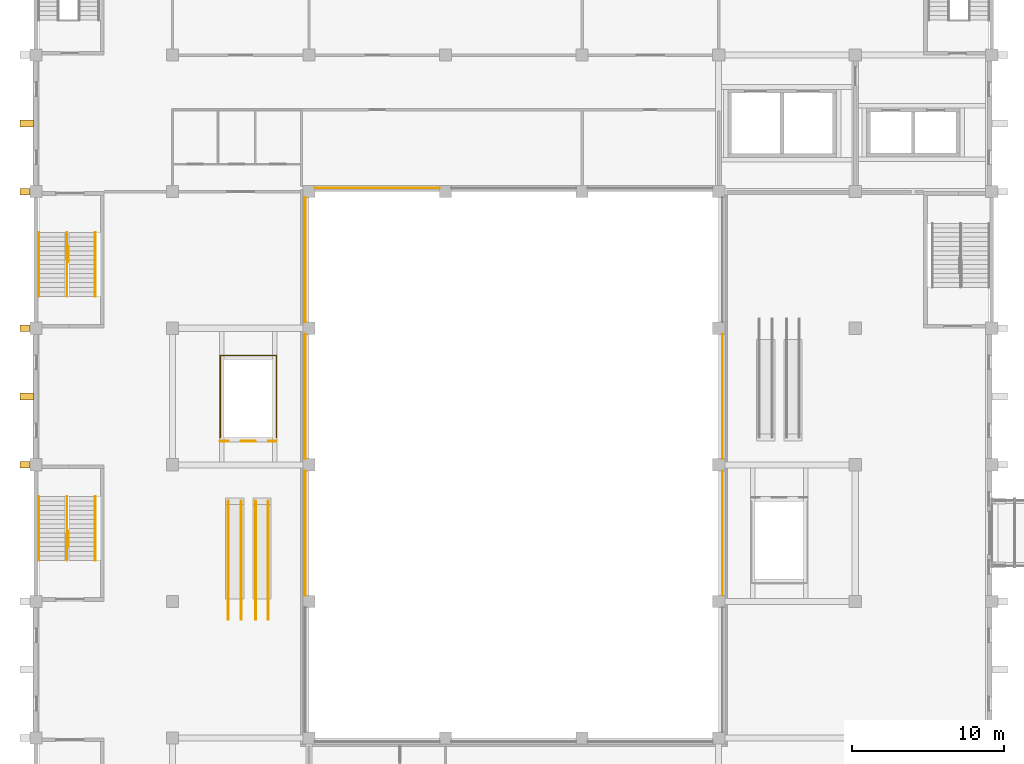
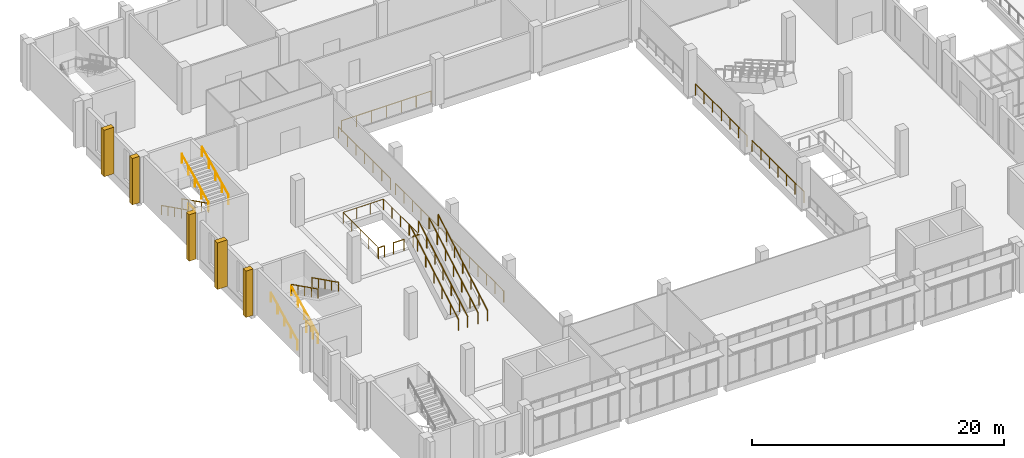
# One storey, part 73 of 79: 24 railings, 5 coverings.
"""IFC4 building model written with IfcOpenShell, lengths in metres."""

from ifc_helpers import new_model, si_unit, direction, frame, origin, origin_2d, place, context, subcontext, project, spatial, rectangle, circle, extrude, material, layer, layer_set, type_object, element, save


model = new_model("IFC4")

# Units and contexts
model_context = context("Model", 3, precision=1e-05, world=origin(), true_north=direction((0.0, 1.0)))
body_context = subcontext(model_context, "Body", "Model", "MODEL_VIEW")
ifc_project = project(units=[si_unit("LENGTHUNIT", "METRE"), si_unit("AREAUNIT", "SQUARE_METRE"), si_unit("VOLUMEUNIT", "CUBIC_METRE"), si_unit("PLANEANGLEUNIT", "RADIAN"), si_unit("MASSUNIT", "GRAM", prefix="KILO")], contexts=[model_context])

# Site, building, storey
site_placement = place(None, origin())
site = spatial("IfcSite", under=ifc_project, at=site_placement, CompositionType="ELEMENT")
building_placement = place(site_placement, origin())
building = spatial("IfcBuilding", under=site, at=building_placement, Name="Guidao Yard Department Store", CompositionType="ELEMENT")
storey_placement = place(building_placement, frame((0.0, 0.0, 15.0)))
storey = spatial("IfcBuildingStorey", under=building, at=storey_placement, Name="L03", CompositionType="ELEMENT", Elevation=15.0)

# Railings
ifc_material_1 = material(Name="Laminated glass", Category="glass")
railing_type_1 = type_object("IfcRailingType", Name="Escalator balustrade glass 1100", PredefinedType="BALUSTRADE", material=ifc_material_1)
for number, where, name in (
    (1, (12.679931640625, 61.800048828125, 0.0), "Escalator EH7 up balustrade"),
    (2, (13.52001953125, 61.800048828125, 0.0), "Escalator EH7 up balustrade"),
    (3, (14.47998046875, 61.800048828125, 0.0), "Escalator EH7 down balustrade"),
    (4, (15.320068359375, 61.800048828125, 0.0), "Escalator EH7 down balustrade"),
):
    element("IfcRailing", number, at=place(storey_placement, frame(where)), inside=storey, type_object=railing_type_1, Name=name, PredefinedType="BALUSTRADE", context=body_context, shape_type="SweptSolid", body=[
        extrude(circle(Radius=0.030029296875, at=origin_2d()), frame((0.0, 0.0, 1.070068359375), z_axis=(0.0, 0.866017533419, 0.500013631625), x_axis=(-1.0, 0.0, 0.0)), (0.0, 0.0, 1.0), 8.999755859375),
        extrude(circle(Radius=0.02490234375, at=origin_2d()), origin(), (0.0, 0.0, 1.0), 1.0400390625),
        extrude(circle(Radius=0.02490234375, at=origin_2d()), frame((0.0, 1.299072265625, 0.75)), (0.0, 0.0, 1.0), 1.0400390625),
        extrude(circle(Radius=0.02490234375, at=origin_2d()), frame((0.0, 2.597900390625, 1.5)), (0.0, 0.0, 1.0), 1.0400390625),
        extrude(circle(Radius=0.02490234375, at=origin_2d()), frame((0.0, 3.89697265625, 2.25)), (0.0, 0.0, 1.0), 1.0400390625),
        extrude(circle(Radius=0.02490234375, at=origin_2d()), frame((0.0, 5.196044921875, 3.0)), (0.0, 0.0, 1.0), 1.0400390625),
        extrude(circle(Radius=0.02490234375, at=origin_2d()), frame((0.0, 6.494873046875, 3.75)), (0.0, 0.0, 1.0), 1.0400390625),
        extrude(circle(Radius=0.02490234375, at=origin_2d()), frame((0.0, 7.7939453125, 4.5)), (0.0, 0.0, 1.0), 1.0400390625),
    ])
ifc_material_2 = material(Name="Steel Q235", Category="steel")
railing_type_2 = type_object("IfcRailingType", Name="Guard steel balustrade 1100", PredefinedType="GUARDRAIL", material=ifc_material_2)
railing_1_placement = place(storey_placement, frame((2.125, 66.6298828125, 0.0)))
element("IfcRailing", 5, at=railing_1_placement, inside=storey, type_object=railing_type_2, Name="Stair A1 guard L03 1", PredefinedType="GUARDRAIL", context=body_context, shape_type="SweptSolid", body=[
    extrude(circle(Radius=0.02392578125, at=origin_2d()), frame((0.0, 0.0, 1.076171875), z_axis=(0.0, 1.0, 0.0), x_axis=(-1.0, 0.0, 0.0)), (0.0, 0.0, 1.0), 1.0),
    extrude(circle(Radius=0.02099609375, at=origin_2d()), origin(), (0.0, 0.0, 1.0), 1.052001953125),
    extrude(circle(Radius=0.02099609375, at=origin_2d()), frame((0.0, 1.0, 0.0)), (0.0, 0.0, 1.0), 1.052001953125),
])
railing_2_placement = place(storey_placement, frame((2.125, 86.3701171875, 0.0)))
element("IfcRailing", 6, at=railing_2_placement, inside=storey, type_object=railing_type_2, Name="Stair A3 guard L03 3", PredefinedType="GUARDRAIL", context=body_context, shape_type="SweptSolid", body=[
    extrude(circle(Radius=0.02392578125, at=origin_2d()), frame((0.0, 0.0, 1.076171875), z_axis=(0.0, -1.0, 0.0), x_axis=(1.0, 0.0, 0.0)), (0.0, 0.0, 1.0), 1.0),
    extrude(circle(Radius=0.02099609375, at=origin_2d()), origin(), (0.0, 0.0, 1.0), 1.052001953125),
    extrude(circle(Radius=0.02099609375, at=origin_2d()), frame((0.0, -1.0, 0.0)), (0.0, 0.0, 1.0), 1.052001953125),
])
railing_3_placement = place(storey_placement, frame((12.14990234375, 73.555908203125, 0.0)))
element("IfcRailing", 7, at=railing_3_placement, inside=storey, type_object=railing_type_2, Name="Guard escalator EH6 arrival 1", PredefinedType="GUARDRAIL", context=body_context, shape_type="SweptSolid", body=[
    extrude(circle(Radius=0.02392578125, at=origin_2d()), frame((0.0, 0.0, 1.076171875), z_axis=(1.0, 0.0, 0.0), x_axis=(0.0, 1.0, 0.0)), (0.0, 0.0, 1.0), 0.530029296875),
    extrude(circle(Radius=0.02099609375, at=origin_2d()), origin(), (0.0, 0.0, 1.0), 1.052001953125),
    extrude(circle(Radius=0.02099609375, at=origin_2d()), frame((0.530029296875, 0.0, 0.0)), (0.0, 0.0, 1.0), 1.052001953125),
])
railing_4_placement = place(storey_placement, frame((13.52001953125, 73.555908203125, 0.0)))
element("IfcRailing", 8, at=railing_4_placement, inside=storey, type_object=railing_type_2, Name="Guard escalator EH6 arrival 2", PredefinedType="GUARDRAIL", context=body_context, shape_type="SweptSolid", body=[
    extrude(circle(Radius=0.02392578125, at=origin_2d()), frame((0.0, 0.0, 1.076171875), z_axis=(1.0, 0.0, 0.0), x_axis=(0.0, 1.0, 0.0)), (0.0, 0.0, 1.0), 0.9599609375),
    extrude(circle(Radius=0.02099609375, at=origin_2d()), origin(), (0.0, 0.0, 1.0), 1.052001953125),
    extrude(circle(Radius=0.02099609375, at=origin_2d()), frame((0.9599609375, 0.0, 0.0)), (0.0, 0.0, 1.0), 1.052001953125),
])
railing_5_placement = place(storey_placement, frame((15.320068359375, 73.555908203125, 0.0)))
element("IfcRailing", 9, at=railing_5_placement, inside=storey, type_object=railing_type_2, Name="Guard escalator EH6 arrival 3", PredefinedType="GUARDRAIL", context=body_context, shape_type="SweptSolid", body=[
    extrude(circle(Radius=0.02392578125, at=origin_2d()), frame((0.0, 0.0, 1.076171875), z_axis=(1.0, 0.0, 0.0), x_axis=(0.0, 1.0, 0.0)), (0.0, 0.0, 1.0), 0.530029296875),
    extrude(circle(Radius=0.02099609375, at=origin_2d()), origin(), (0.0, 0.0, 1.0), 1.052001953125),
    extrude(circle(Radius=0.02099609375, at=origin_2d()), frame((0.530029296875, 0.0, 0.0)), (0.0, 0.0, 1.0), 1.052001953125),
])
for number, where, name in (
    (10, (45.25, 63.39990234375, 0.0), "Guard atrium E L03"),
    (11, (45.25, 72.39990234375, 0.0), "Guard atrium E L03"),
):
    element("IfcRailing", number, at=place(storey_placement, frame(where)), inside=storey, type_object=railing_type_2, Name=name, PredefinedType="GUARDRAIL", context=body_context, shape_type="SweptSolid", body=[
        extrude(circle(Radius=0.02392578125, at=origin_2d()), frame((0.0, 0.0, 1.076171875), z_axis=(0.0, 1.0, 0.0), x_axis=(-1.0, 0.0, 0.0)), (0.0, 0.0, 1.0), 8.2001953125),
        extrude(circle(Radius=0.02099609375, at=origin_2d()), origin(), (0.0, 0.0, 1.0), 1.052001953125),
        extrude(circle(Radius=0.02099609375, at=origin_2d()), frame((0.0, 1.36669921875, 0.0)), (0.0, 0.0, 1.0), 1.052001953125),
        extrude(circle(Radius=0.02099609375, at=origin_2d()), frame((0.0, 2.7333984375, 0.0)), (0.0, 0.0, 1.0), 1.052001953125),
        extrude(circle(Radius=0.02099609375, at=origin_2d()), frame((0.0, 4.10009765625, 0.0)), (0.0, 0.0, 1.0), 1.052001953125),
        extrude(circle(Radius=0.02099609375, at=origin_2d()), frame((0.0, 5.466796875, 0.0)), (0.0, 0.0, 1.0), 1.052001953125),
        extrude(circle(Radius=0.02099609375, at=origin_2d()), frame((0.0, 6.83349609375, 0.0)), (0.0, 0.0, 1.0), 1.052001953125),
        extrude(circle(Radius=0.02099609375, at=origin_2d()), frame((0.0, 8.2001953125, 0.0)), (0.0, 0.0, 1.0), 1.052001953125),
    ])
railing_6_placement = place(storey_placement, frame((26.60009765625, 90.25, 0.0)))
element("IfcRailing", 12, at=railing_6_placement, inside=storey, type_object=railing_type_2, Name="Guard atrium N L03", PredefinedType="GUARDRAIL", context=body_context, shape_type="SweptSolid", body=[
    extrude(circle(Radius=0.02392578125, at=origin_2d()), frame((0.0, 0.0, 1.076171875), z_axis=(-1.0, 0.0, 0.0), x_axis=(0.0, -1.0, 0.0)), (0.0, 0.0, 1.0), 8.2001953125),
    extrude(circle(Radius=0.02099609375, at=origin_2d()), origin(), (0.0, 0.0, 1.0), 1.052001953125),
    extrude(circle(Radius=0.02099609375, at=origin_2d()), frame((-1.36669921875, 0.0, 0.0)), (0.0, 0.0, 1.0), 1.052001953125),
    extrude(circle(Radius=0.02099609375, at=origin_2d()), frame((-2.7333984375, 0.0, 0.0)), (0.0, 0.0, 1.0), 1.052001953125),
    extrude(circle(Radius=0.02099609375, at=origin_2d()), frame((-4.10009765625, 0.0, 0.0)), (0.0, 0.0, 1.0), 1.052001953125),
    extrude(circle(Radius=0.02099609375, at=origin_2d()), frame((-5.466796875, 0.0, 0.0)), (0.0, 0.0, 1.0), 1.052001953125),
    extrude(circle(Radius=0.02099609375, at=origin_2d()), frame((-6.83349609375, 0.0, 0.0)), (0.0, 0.0, 1.0), 1.052001953125),
    extrude(circle(Radius=0.02099609375, at=origin_2d()), frame((-8.2001953125, 0.0, 0.0)), (0.0, 0.0, 1.0), 1.052001953125),
])
for number, where, name in (
    (13, (17.75, 89.60009765625, 0.0), "Guard atrium W L03"),
    (14, (17.75, 80.60009765625, 0.0), "Guard atrium W L03"),
    (15, (17.75, 71.60009765625, 0.0), "Guard atrium W L03"),
):
    element("IfcRailing", number, at=place(storey_placement, frame(where)), inside=storey, type_object=railing_type_2, Name=name, PredefinedType="GUARDRAIL", context=body_context, shape_type="SweptSolid", body=[
        extrude(circle(Radius=0.02392578125, at=origin_2d()), frame((0.0, 0.0, 1.076171875), z_axis=(0.0, -1.0, 0.0), x_axis=(1.0, 0.0, 0.0)), (0.0, 0.0, 1.0), 8.2001953125),
        extrude(circle(Radius=0.02099609375, at=origin_2d()), origin(), (0.0, 0.0, 1.0), 1.052001953125),
        extrude(circle(Radius=0.02099609375, at=origin_2d()), frame((0.0, -1.36669921875, 0.0)), (0.0, 0.0, 1.0), 1.052001953125),
        extrude(circle(Radius=0.02099609375, at=origin_2d()), frame((0.0, -2.7333984375, 0.0)), (0.0, 0.0, 1.0), 1.052001953125),
        extrude(circle(Radius=0.02099609375, at=origin_2d()), frame((0.0, -4.10009765625, 0.0)), (0.0, 0.0, 1.0), 1.052001953125),
        extrude(circle(Radius=0.02099609375, at=origin_2d()), frame((0.0, -5.466796875, 0.0)), (0.0, 0.0, 1.0), 1.052001953125),
        extrude(circle(Radius=0.02099609375, at=origin_2d()), frame((0.0, -6.83349609375, 0.0)), (0.0, 0.0, 1.0), 1.052001953125),
        extrude(circle(Radius=0.02099609375, at=origin_2d()), frame((0.0, -8.2001953125, 0.0)), (0.0, 0.0, 1.0), 1.052001953125),
    ])
railing_7_placement = place(storey_placement, frame((15.85009765625, 73.805908203125, 0.0)))
element("IfcRailing", 16, at=railing_7_placement, inside=storey, type_object=railing_type_2, Name="Guard well EH6 L03", PredefinedType="GUARDRAIL", context=body_context, shape_type="SweptSolid", body=[
    extrude(circle(Radius=0.02392578125, at=origin_2d()), frame((0.0, 0.0, 1.076171875), z_axis=(0.0, 1.0, 0.0), x_axis=(-1.0, 0.0, 0.0)), (0.0, 0.0, 1.0), 5.38818359375),
    extrude(circle(Radius=0.02392578125, at=origin_2d()), frame((0.0, 5.38818359375, 1.076171875), z_axis=(-1.0, 0.0, 0.0), x_axis=(0.0, -1.0, 0.0)), (0.0, 0.0, 1.0), 3.7001953125),
    extrude(circle(Radius=0.02392578125, at=origin_2d()), frame((-3.7001953125, 5.38818359375, 1.076171875), z_axis=(0.0, -1.0, 0.0), x_axis=(1.0, 0.0, 0.0)), (0.0, 0.0, 1.0), 5.38818359375),
    extrude(circle(Radius=0.02099609375, at=origin_2d()), origin(), (0.0, 0.0, 1.0), 1.052001953125),
    extrude(circle(Radius=0.02099609375, at=origin_2d()), frame((0.0, 1.34716796875, 0.0)), (0.0, 0.0, 1.0), 1.052001953125),
    extrude(circle(Radius=0.02099609375, at=origin_2d()), frame((0.0, 2.694091796875, 0.0)), (0.0, 0.0, 1.0), 1.052001953125),
    extrude(circle(Radius=0.02099609375, at=origin_2d()), frame((0.0, 4.041015625, 0.0)), (0.0, 0.0, 1.0), 1.052001953125),
    extrude(circle(Radius=0.02099609375, at=origin_2d()), frame((0.0, 5.38818359375, 0.0)), (0.0, 0.0, 1.0), 1.052001953125),
    extrude(circle(Radius=0.02099609375, at=origin_2d()), frame((-1.2333984375, 5.38818359375, 0.0)), (0.0, 0.0, 1.0), 1.052001953125),
    extrude(circle(Radius=0.02099609375, at=origin_2d()), frame((-2.466796875, 5.38818359375, 0.0)), (0.0, 0.0, 1.0), 1.052001953125),
    extrude(circle(Radius=0.02099609375, at=origin_2d()), frame((-3.7001953125, 5.38818359375, 0.0)), (0.0, 0.0, 1.0), 1.052001953125),
    extrude(circle(Radius=0.02099609375, at=origin_2d()), frame((-3.7001953125, 4.041015625, 0.0)), (0.0, 0.0, 1.0), 1.052001953125),
    extrude(circle(Radius=0.02099609375, at=origin_2d()), frame((-3.7001953125, 2.694091796875, 0.0)), (0.0, 0.0, 1.0), 1.052001953125),
    extrude(circle(Radius=0.02099609375, at=origin_2d()), frame((-3.7001953125, 1.34716796875, 0.0)), (0.0, 0.0, 1.0), 1.052001953125),
    extrude(circle(Radius=0.02099609375, at=origin_2d()), frame((-3.7001953125, 0.0, 0.0)), (0.0, 0.0, 1.0), 1.052001953125),
])
ifc_material_3 = material(Name="Steel Q235", Category="steel")
railing_type_3 = type_object("IfcRailingType", Name="Handrail steel tube 48", PredefinedType="HANDRAIL", material=ifc_material_3)
for number, where, name in (
    (17, (0.18505859375, 65.699951171875, 0.14990234375), "Stair A1 hand rail L03 1"),
    (18, (2.050048828125, 65.699951171875, 0.14990234375), "Stair A1 hand rail L03 2"),
):
    element("IfcRailing", number, at=place(storey_placement, frame(where)), inside=storey, type_object=railing_type_3, Name=name, PredefinedType="HANDRAIL", context=body_context, shape_type="SweptSolid", body=[
        extrude(circle(Radius=0.02392578125, at=origin_2d()), frame((0.0, 0.0, 0.8759765625), z_axis=(0.0, 0.894416792377, 0.447234392142), x_axis=(-1.0, 0.0, 0.0)), (0.0, 0.0, 1.0), 4.69580078125),
        extrude(circle(Radius=0.02099609375, at=origin_2d()), origin(), (0.0, 0.0, 1.0), 0.851806640625),
        extrude(circle(Radius=0.02099609375, at=origin_2d()), frame((0.0, 1.050048828125, 0.52490234375)), (0.0, 0.0, 1.0), 0.851806640625),
        extrude(circle(Radius=0.02099609375, at=origin_2d()), frame((0.0, 2.10009765625, 1.050048828125)), (0.0, 0.0, 1.0), 0.851806640625),
        extrude(circle(Radius=0.02099609375, at=origin_2d()), frame((0.0, 3.14990234375, 1.5751953125)), (0.0, 0.0, 1.0), 0.851806640625),
        extrude(circle(Radius=0.02099609375, at=origin_2d()), frame((0.0, 4.199951171875, 2.10009765625)), (0.0, 0.0, 1.0), 0.851806640625),
    ])
for number, where, name in (
    (19, (3.9150390625, 69.89990234375, 2.39990234375), "Stair A1 hand rail L03 3"),
    (20, (2.050048828125, 69.89990234375, 2.39990234375), "Stair A1 hand rail L03 4"),
    (21, (0.18505859375, 87.300048828125, 0.14990234375), "Stair A3 hand rail L03 9"),
    (22, (2.050048828125, 87.300048828125, 0.14990234375), "Stair A3 hand rail L03 10"),
):
    element("IfcRailing", number, at=place(storey_placement, frame(where)), inside=storey, type_object=railing_type_3, Name=name, PredefinedType="HANDRAIL", context=body_context, shape_type="SweptSolid", body=[
        extrude(circle(Radius=0.02392578125, at=origin_2d()), frame((0.0, 0.0, 0.8759765625), z_axis=(0.0, -0.894416792377, 0.447234392142), x_axis=(1.0, 0.0, 0.0)), (0.0, 0.0, 1.0), 4.69580078125),
        extrude(circle(Radius=0.02099609375, at=origin_2d()), origin(), (0.0, 0.0, 1.0), 0.851806640625),
        extrude(circle(Radius=0.02099609375, at=origin_2d()), frame((0.0, -1.050048828125, 0.52490234375)), (0.0, 0.0, 1.0), 0.851806640625),
        extrude(circle(Radius=0.02099609375, at=origin_2d()), frame((0.0, -2.10009765625, 1.050048828125)), (0.0, 0.0, 1.0), 0.851806640625),
        extrude(circle(Radius=0.02099609375, at=origin_2d()), frame((0.0, -3.14990234375, 1.5751953125)), (0.0, 0.0, 1.0), 0.851806640625),
        extrude(circle(Radius=0.02099609375, at=origin_2d()), frame((0.0, -4.199951171875, 2.10009765625)), (0.0, 0.0, 1.0), 0.851806640625),
    ])
for number, where, name in (
    (23, (3.9150390625, 83.10009765625, 2.39990234375), "Stair A3 hand rail L03 11"),
    (24, (2.050048828125, 83.10009765625, 2.39990234375), "Stair A3 hand rail L03 12"),
):
    element("IfcRailing", number, at=place(storey_placement, frame(where)), inside=storey, type_object=railing_type_3, Name=name, PredefinedType="HANDRAIL", context=body_context, shape_type="SweptSolid", body=[
        extrude(circle(Radius=0.02392578125, at=origin_2d()), frame((0.0, 0.0, 0.8759765625), z_axis=(0.0, 0.894416792377, 0.447234392142), x_axis=(-1.0, 0.0, 0.0)), (0.0, 0.0, 1.0), 4.69580078125),
        extrude(circle(Radius=0.02099609375, at=origin_2d()), origin(), (0.0, 0.0, 1.0), 0.851806640625),
        extrude(circle(Radius=0.02099609375, at=origin_2d()), frame((0.0, 1.050048828125, 0.52490234375)), (0.0, 0.0, 1.0), 0.851806640625),
        extrude(circle(Radius=0.02099609375, at=origin_2d()), frame((0.0, 2.10009765625, 1.050048828125)), (0.0, 0.0, 1.0), 0.851806640625),
        extrude(circle(Radius=0.02099609375, at=origin_2d()), frame((0.0, 3.14990234375, 1.5751953125)), (0.0, 0.0, 1.0), 0.851806640625),
        extrude(circle(Radius=0.02099609375, at=origin_2d()), frame((0.0, 4.199951171875, 2.10009765625)), (0.0, 0.0, 1.0), 0.851806640625),
    ])

# Coverings
ifc_material_4 = material(Name="Precast concrete C40/50", Category="concrete")
ifc_layer = layer(ifc_material_4, 0.449951171875)
ifc_layer_set = layer_set([ifc_layer], Name="Precast fin FN1 board-formed concrete")
covering_type = type_object("IfcCoveringType", Name="Precast fin FN1 board-formed concrete", PredefinedType="CLADDING", material=ifc_layer_set)
covering_1_placement = place(storey_placement, frame((-0.72509765625, 72.0, 0.0), z_axis=(0.0, 0.0, 1.0), x_axis=(0.0, 1.0, 0.0)))
element("IfcCovering", 25, at=covering_1_placement, inside=storey, type_object=covering_type, Name="Precast fin", PredefinedType="CLADDING", context=body_context, shape_type="SweptSolid", body=[
    extrude(rectangle(XDim=0.449951171875, YDim=0.64990234375, at=origin_2d()), origin(), (0.0, 0.0, 1.0), 4.5),
])
covering_2_placement = place(storey_placement, frame((-0.60009765625, 76.5, 0.0), z_axis=(0.0, 0.0, 1.0), x_axis=(0.0, 1.0, 0.0)))
element("IfcCovering", 26, at=covering_2_placement, inside=storey, type_object=covering_type, Name="Precast fin", PredefinedType="CLADDING", context=body_context, shape_type="SweptSolid", body=[
    extrude(rectangle(XDim=0.449951171875, YDim=0.89990234375, at=origin_2d()), origin(), (0.0, 0.0, 1.0), 4.5),
])
for number, where, z_axis, x_axis, name in (
    (27, (-0.72509765625, 81.0, 0.0), (0.0, 0.0, 1.0), (0.0, 1.0, 0.0), "Precast fin"),
    (28, (-0.72509765625, 90.0, 0.0), (0.0, 0.0, 1.0), (0.0, 1.0, 0.0), "Precast fin"),
):
    element("IfcCovering", number, at=place(storey_placement, frame(where, z_axis=z_axis, x_axis=x_axis)), inside=storey, type_object=covering_type, Name=name, PredefinedType="CLADDING", context=body_context, shape_type="SweptSolid", body=[
        extrude(rectangle(XDim=0.449951171875, YDim=0.64990234375, at=origin_2d()), origin(), (0.0, 0.0, 1.0), 4.5),
    ])
covering_3_placement = place(storey_placement, frame((-0.60009765625, 94.5, 0.0), z_axis=(0.0, 0.0, 1.0), x_axis=(0.0, 1.0, 0.0)))
element("IfcCovering", 29, at=covering_3_placement, inside=storey, type_object=covering_type, Name="Precast fin", PredefinedType="CLADDING", context=body_context, shape_type="SweptSolid", body=[
    extrude(rectangle(XDim=0.449951171875, YDim=0.89990234375, at=origin_2d()), origin(), (0.0, 0.0, 1.0), 4.5),
])

save(model, "model.ifc")
